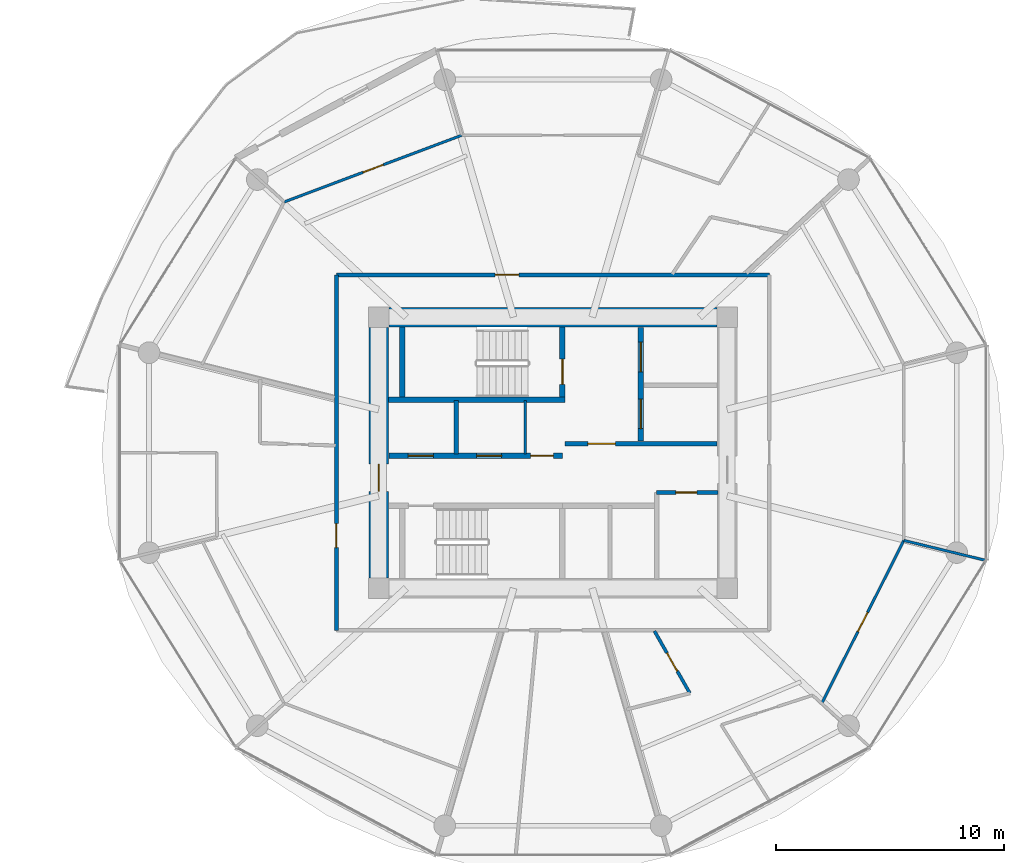
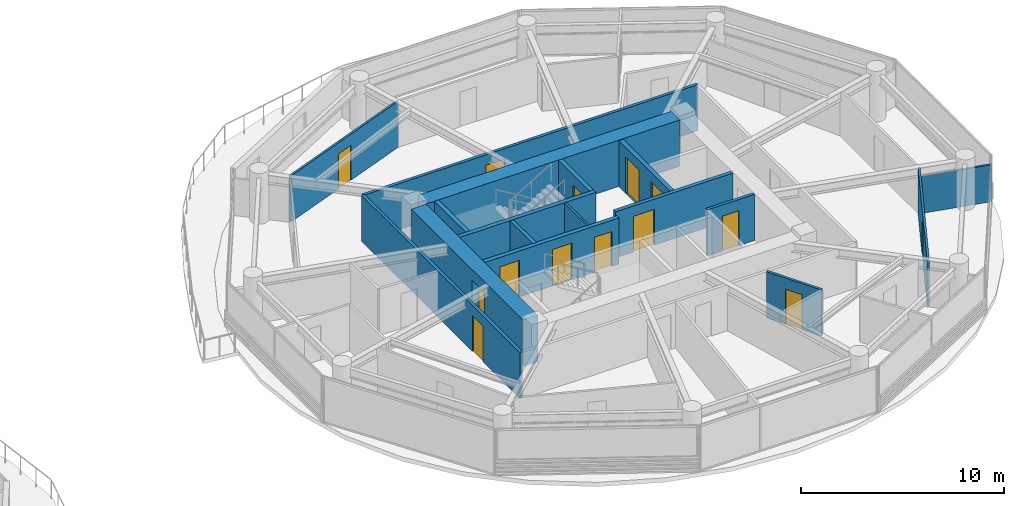
# One storey, part 19 of 26: 17 walls, 14 doors, 14 openings.
"""IFC4 building model written with IfcOpenShell, lengths in metres."""

from ifc_helpers import new_model, si_unit, direction, frame, frame_2d, origin, place, context, subcontext, project, spatial, rectangle, extrude, source, transform, mapped, material, layer, layer_set, type_object, type_shapes, element, fill, save


model = new_model("IFC4")

# Units and contexts
model_context = context("Model", 3, precision=1e-05, world=origin(), true_north=direction((0.0, 1.0)))
body_context = subcontext(model_context, "Body", "Model", "MODEL_VIEW")
ifc_project = project(units=[si_unit("LENGTHUNIT", "METRE"), si_unit("AREAUNIT", "SQUARE_METRE"), si_unit("VOLUMEUNIT", "CUBIC_METRE"), si_unit("PLANEANGLEUNIT", "RADIAN"), si_unit("MASSUNIT", "GRAM", prefix="KILO")], contexts=[model_context])

# Site, building, storey
site_placement = place(None, origin())
site = spatial("IfcSite", under=ifc_project, at=site_placement, CompositionType="ELEMENT")
building_placement = place(site_placement, origin())
building = spatial("IfcBuilding", under=site, at=building_placement, Name="Norrkilde Senior Care Towers", CompositionType="ELEMENT")
storey_placement = place(building_placement, frame((0.0, 0.0, 64.300048828125)))
storey = spatial("IfcBuildingStorey", under=building, at=storey_placement, Name="L19", CompositionType="ELEMENT", Elevation=64.300048828125)

# Wall
ifc_material_1 = material(Name="Concrete C60/75", Category="concrete")
ifc_layer_1 = layer(ifc_material_1, 0.85009765625)
ifc_layer_set_1 = layer_set([ifc_layer_1], Name="Concrete C60/75")
wall_type_1 = type_object("IfcWallType", Name="Core Shear Wall Z1 850", PredefinedType="SHEAR", material=ifc_layer_set_1)
shared_shape_1 = source(origin(), body_context, "Body", "SweptSolid", [
    extrude(rectangle(XDim=14.39990234375, YDim=0.85009765625, at=frame_2d((7.199951171875, 0.0))), origin(), (0.0, 0.0, 1.0), 2.7900390625),
])
wall_1_placement = place(storey_placement, frame((20.800048828125, 5.949951171875, 0.0), z_axis=(0.0, 0.0, 1.0), x_axis=(1.0, 0.0, 0.0)))
element("IfcWall", 1, at=wall_1_placement, inside=storey, type_object=wall_type_1, Name="L19 Core E North Shear Wall", PredefinedType="SHEAR", context=body_context, shape_type="MappedRepresentation", body=[
    mapped(shared_shape_1, transform((0.0, 0.0, 0.0), x_axis=(1.0, 0.0, 0.0), y_axis=(0.0, 1.0, 0.0), z_axis=(0.0, 0.0, 1.0), scale=1.0)),
])

# Wall, opening, door
shared_shape_2 = source(origin(), body_context, "Body", "SweptSolid", [
    extrude(rectangle(XDim=11.0, YDim=0.85009765625, at=frame_2d((5.5, 0.0))), origin(), (0.0, 0.0, 1.0), 2.7900390625),
])
type_shapes(wall_type_1, [shared_shape_1, shared_shape_2])
wall_2_placement = place(storey_placement, frame((20.35009765625, -5.5, 0.0), z_axis=(0.0, 0.0, 1.0), x_axis=(0.0, 1.0, 0.0)))
wall_2 = element("IfcWall", 2, at=wall_2_placement, inside=storey, type_object=wall_type_1, Name="L19 Core E West Shear Wall", PredefinedType="SHEAR", context=body_context, shape_type="MappedRepresentation", body=[
    mapped(shared_shape_2, transform((0.0, 0.0, 0.0), x_axis=(1.0, 0.0, 0.0), y_axis=(0.0, 1.0, 0.0), z_axis=(0.0, 0.0, 1.0), scale=1.0)),
])
opening_1_placement = place(wall_2_placement, frame((3.800048828125, 0.0, 0.0)))
opening_1 = element("IfcOpeningElement", 3, at=opening_1_placement, cuts=wall_2, Name="Opening D-04", PredefinedType="OPENING", context=body_context, shape_type="SweptSolid", body=[
    extrude(rectangle(XDim=1.199951171875, YDim=2.14990234375, at=frame_2d((0.60009765625, 1.074951171875))), frame((0.0, 0.43505859375, 0.0), z_axis=(0.0, -1.0, 0.0), x_axis=(1.0, 0.0, 0.0)), (0.0, 0.0, 1.0), 0.8701171875),
])
ifc_material_2 = material(Name="Galvanised Painted Steel", Category="steel")
door_type_1 = type_object("IfcDoorType", Name="Firefighting Lobby Fire Door 1200x2150", OperationType="NOTDEFINED", PredefinedType="DOOR", material=ifc_material_2)
shared_shape_3 = source(origin(), body_context, "Body", "SweptSolid", [
    extrude(rectangle(XDim=1.199951171875, YDim=2.14990234375, at=frame_2d((0.60009765625, 1.074951171875))), frame((0.0, 0.02490234375, 0.0), z_axis=(0.0, -1.0, 0.0), x_axis=(1.0, 0.0, 0.0)), (0.0, 0.0, 1.0), 0.050048828125),
])
type_shapes(door_type_1, [shared_shape_3])
door_1_placement = place(opening_1_placement, frame((1.199951171875, 0.0, 0.0), z_axis=(0.0, 0.0, 1.0), x_axis=(-1.0, 0.0, 0.0)))
door_1 = element("IfcDoor", 4, at=door_1_placement, inside=storey, type_object=door_type_1, Name="L19 Core E West Portal Door", OperationType="SINGLE_SWING_LEFT", OverallHeight=2.14990234375, OverallWidth=1.199951171875, PredefinedType="DOOR", context=body_context, shape_type="MappedRepresentation", body=[
    mapped(shared_shape_3, transform((0.0, 0.0, 0.0), x_axis=(1.0, 0.0, 0.0), y_axis=(0.0, 1.0, 0.0), z_axis=(0.0, 0.0, 1.0), scale=1.0)),
])
fill(opening_1, door_1)

# Wall, openings, doors
ifc_material_3 = material(Name="Concrete C45/55", Category="concrete")
ifc_layer_2 = layer(ifc_material_3, 0.239990234375)
ifc_layer_set_2 = layer_set([ifc_layer_2], Name="Concrete C45/55")
wall_type_2 = type_object("IfcWallType", Name="Lift and Plant Rated Enclosure Partition 240", PredefinedType="PARTITIONING", material=ifc_layer_set_2)
shared_shape_4 = source(origin(), body_context, "Body", "SweptSolid", [
    extrude(rectangle(XDim=5.0, YDim=0.239990234375, at=frame_2d((2.5, 0.0))), origin(), (0.0, 0.0, 1.0), 2.77490234375),
])
wall_3_placement = place(storey_placement, frame((31.860107421875, 0.5, 0.0), z_axis=(0.0, 0.0, 1.0), x_axis=(0.0, 1.0, 0.0)))
wall_3 = element("IfcWall", 5, at=wall_3_placement, inside=storey, type_object=wall_type_2, Name="WL-INT-L19-E-FFLE", PredefinedType="PARTITIONING", context=body_context, shape_type="MappedRepresentation", body=[
    mapped(shared_shape_4, transform((0.0, 0.0, 0.0), x_axis=(1.0, 0.0, 0.0), y_axis=(0.0, 1.0, 0.0), z_axis=(0.0, 0.0, 1.0), scale=1.0)),
])
opening_2_placement = place(wall_3_placement, frame((3.050048828125, 0.0, 0.0)))
opening_2 = element("IfcOpeningElement", 6, at=opening_2_placement, cuts=wall_3, Name="Opening LD-02", PredefinedType="OPENING", context=body_context, shape_type="SweptSolid", body=[
    extrude(rectangle(XDim=1.300048828125, YDim=2.199951171875, at=frame_2d((0.64990234375, 1.10009765625))), frame((0.0, 0.1298828125, 0.0), z_axis=(0.0, -1.0, 0.0), x_axis=(1.0, 0.0, 0.0)), (0.0, 0.0, 1.0), 0.260009765625),
])
opening_3_placement = place(wall_3_placement, frame((0.550048828125, 0.0, 0.0)))
opening_3 = element("IfcOpeningElement", 7, at=opening_3_placement, cuts=wall_3, Name="Opening LD-02", PredefinedType="OPENING", context=body_context, shape_type="SweptSolid", body=[
    extrude(rectangle(XDim=1.300048828125, YDim=2.199951171875, at=frame_2d((0.64990234375, 1.10009765625))), frame((0.0, 0.1298828125, 0.0), z_axis=(0.0, -1.0, 0.0), x_axis=(1.0, 0.0, 0.0)), (0.0, 0.0, 1.0), 0.260009765625),
])
ifc_material_4 = material(Name="Stainless Steel", Category="steel")
door_type_2 = type_object("IfcDoorType", Name="Stretcher and FFL Landing Sliding Door 1300x2200", OperationType="NOTDEFINED", PredefinedType="DOOR", material=ifc_material_4)
shared_shape_5 = source(origin(), body_context, "Body", "SweptSolid", [
    extrude(rectangle(XDim=1.300048828125, YDim=2.199951171875, at=frame_2d((0.64990234375, 1.10009765625))), frame((0.0, 0.02490234375, 0.0), z_axis=(0.0, -1.0, 0.0), x_axis=(1.0, 0.0, 0.0)), (0.0, 0.0, 1.0), 0.050048828125),
])
type_shapes(door_type_2, [shared_shape_5])
door_2_placement = place(opening_2_placement, origin())
door_2 = element("IfcDoor", 8, at=door_2_placement, inside=storey, type_object=door_type_2, Name="L19 Firefighting Lift E1 Landing Door", OperationType="SLIDING_TO_LEFT", OverallHeight=2.199951171875, OverallWidth=1.300048828125, PredefinedType="DOOR", context=body_context, shape_type="MappedRepresentation", body=[
    mapped(shared_shape_5, transform((0.0, 0.0, 0.0), x_axis=(1.0, 0.0, 0.0), y_axis=(0.0, 1.0, 0.0), z_axis=(0.0, 0.0, 1.0), scale=1.0)),
])
fill(opening_2, door_2)
door_3_placement = place(opening_3_placement, origin())
door_3 = element("IfcDoor", 9, at=door_3_placement, inside=storey, type_object=door_type_2, Name="L19 Stretcher Lift E1 Landing Door", OperationType="SLIDING_TO_RIGHT", OverallHeight=2.199951171875, OverallWidth=1.300048828125, PredefinedType="DOOR", context=body_context, shape_type="MappedRepresentation", body=[
    mapped(shared_shape_5, transform((0.0, 0.0, 0.0), x_axis=(1.0, 0.0, 0.0), y_axis=(0.0, 1.0, 0.0), z_axis=(0.0, 0.0, 1.0), scale=1.0)),
])
fill(opening_3, door_3)

# Wall, opening, door
ifc_layer_3 = layer(ifc_material_3, 0.2099609375)
ifc_layer_set_3 = layer_set([ifc_layer_3], Name="Concrete C45/55")
wall_type_3 = type_object("IfcWallType", Name="Firefighting Lobby Wall 210", PredefinedType="PARTITIONING", material=ifc_layer_set_3)
shared_shape_6 = source(origin(), body_context, "Body", "SweptSolid", [
    extrude(rectangle(XDim=6.659912109375, YDim=0.2099609375, at=frame_2d((3.330078125, 0.0))), origin(), (0.0, 0.0, 1.0), 2.77490234375),
])
type_shapes(wall_type_3, [shared_shape_6])
wall_4_placement = place(storey_placement, frame((28.5400390625, 0.389892578125, 0.0), z_axis=(0.0, 0.0, 1.0), x_axis=(1.0, 0.0, 0.0)))
wall_4 = element("IfcWall", 10, at=wall_4_placement, inside=storey, type_object=wall_type_3, Name="WL-INT-L19-E-FFLS", PredefinedType="PARTITIONING", context=body_context, shape_type="MappedRepresentation", body=[
    mapped(shared_shape_6, transform((0.0, 0.0, 0.0), x_axis=(1.0, 0.0, 0.0), y_axis=(0.0, 1.0, 0.0), z_axis=(0.0, 0.0, 1.0), scale=1.0)),
])
opening_4_placement = place(wall_4_placement, frame((1.0, 0.0, 0.0)))
opening_4 = element("IfcOpeningElement", 11, at=opening_4_placement, cuts=wall_4, Name="Opening D-04", PredefinedType="OPENING", context=body_context, shape_type="SweptSolid", body=[
    extrude(rectangle(XDim=1.199951171875, YDim=2.14990234375, at=frame_2d((0.60009765625, 1.074951171875))), frame((0.0, 0.114990234375, 0.0), z_axis=(0.0, -1.0, 0.0), x_axis=(1.0, 0.0, 0.0)), (0.0, 0.0, 1.0), 0.22998046875),
])
door_4_placement = place(opening_4_placement, frame((1.199951171875, 0.0, 0.0), z_axis=(0.0, 0.0, 1.0), x_axis=(-1.0, 0.0, 0.0)))
door_4 = element("IfcDoor", 12, at=door_4_placement, inside=storey, type_object=door_type_1, Name="L19 Firefighting Lobby E Door", OperationType="SINGLE_SWING_LEFT", OverallHeight=2.14990234375, OverallWidth=1.199951171875, PredefinedType="DOOR", context=body_context, shape_type="MappedRepresentation", body=[
    mapped(shared_shape_3, transform((0.0, 0.0, 0.0), x_axis=(1.0, 0.0, 0.0), y_axis=(0.0, 1.0, 0.0), z_axis=(0.0, 0.0, 1.0), scale=1.0)),
])
fill(opening_4, door_4)

# Wall, openings, doors
shared_shape_7 = source(origin(), body_context, "Body", "SweptSolid", [
    extrude(rectangle(XDim=7.619873046875, YDim=0.239990234375, at=frame_2d((3.81005859375, 0.0))), origin(), (0.0, 0.0, 1.0), 2.77490234375),
])
type_shapes(wall_type_2, [shared_shape_4, shared_shape_7])
wall_5_placement = place(storey_placement, frame((20.800048828125, -0.1298828125, 0.0), z_axis=(0.0, 0.0, 1.0), x_axis=(1.0, 0.0, 0.0)))
wall_5 = element("IfcWall", 13, at=wall_5_placement, inside=storey, type_object=wall_type_2, Name="WL-INT-L19-E-PKAS", PredefinedType="PARTITIONING", context=body_context, shape_type="MappedRepresentation", body=[
    mapped(shared_shape_7, transform((0.0, 0.0, 0.0), x_axis=(1.0, 0.0, 0.0), y_axis=(0.0, 1.0, 0.0), z_axis=(0.0, 0.0, 1.0), scale=1.0)),
])
opening_5_placement = place(wall_5_placement, frame((6.219970703125, 0.0, 0.0)))
opening_5 = element("IfcOpeningElement", 14, at=opening_5_placement, cuts=wall_5, Name="Opening D-10", PredefinedType="OPENING", context=body_context, shape_type="SweptSolid", body=[
    extrude(rectangle(XDim=1.0, YDim=2.10009765625, at=frame_2d((0.5, 1.050048828125))), frame((0.0, 0.1298828125, 0.0), z_axis=(0.0, -1.0, 0.0), x_axis=(1.0, 0.0, 0.0)), (0.0, 0.0, 1.0), 0.260009765625),
])
opening_6_placement = place(wall_5_placement, frame((0.85009765625, 0.0, 0.0)))
opening_6 = element("IfcOpeningElement", 15, at=opening_6_placement, cuts=wall_5, Name="Opening LD-01", PredefinedType="OPENING", context=body_context, shape_type="SweptSolid", body=[
    extrude(rectangle(XDim=1.10009765625, YDim=2.199951171875, at=frame_2d((0.550048828125, 1.10009765625))), frame((0.0, 0.1298828125, 0.0), z_axis=(0.0, -1.0, 0.0), x_axis=(1.0, 0.0, 0.0)), (0.0, 0.0, 1.0), 0.260009765625),
])
opening_7_placement = place(wall_5_placement, frame((3.85009765625, 0.0, 0.0)))
opening_7 = element("IfcOpeningElement", 16, at=opening_7_placement, cuts=wall_5, Name="Opening LD-01", PredefinedType="OPENING", context=body_context, shape_type="SweptSolid", body=[
    extrude(rectangle(XDim=1.10009765625, YDim=2.199951171875, at=frame_2d((0.550048828125, 1.10009765625))), frame((0.0, 0.1298828125, 0.0), z_axis=(0.0, -1.0, 0.0), x_axis=(1.0, 0.0, 0.0)), (0.0, 0.0, 1.0), 0.260009765625),
])
door_type_3 = type_object("IfcDoorType", Name="Plant and Riser Rated Door 1000x2100", OperationType="NOTDEFINED", PredefinedType="DOOR", material=ifc_material_2)
shared_shape_8 = source(origin(), body_context, "Body", "SweptSolid", [
    extrude(rectangle(XDim=1.0, YDim=2.10009765625, at=frame_2d((0.5, 1.050048828125))), frame((0.0, 0.02490234375, 0.0), z_axis=(0.0, -1.0, 0.0), x_axis=(1.0, 0.0, 0.0)), (0.0, 0.0, 1.0), 0.050048828125),
])
type_shapes(door_type_3, [shared_shape_8])
door_5_placement = place(opening_5_placement, frame((1.0, 0.0, 0.0), z_axis=(0.0, 0.0, 1.0), x_axis=(-1.0, 0.0, 0.0)))
door_5 = element("IfcDoor", 17, at=door_5_placement, inside=storey, type_object=door_type_3, Name="L19 Electrical Riser E Door", OperationType="SINGLE_SWING_LEFT", OverallHeight=2.10009765625, OverallWidth=1.0, PredefinedType="DOOR", context=body_context, shape_type="MappedRepresentation", body=[
    mapped(shared_shape_8, transform((0.0, 0.0, 0.0), x_axis=(1.0, 0.0, 0.0), y_axis=(0.0, 1.0, 0.0), z_axis=(0.0, 0.0, 1.0), scale=1.0)),
])
fill(opening_5, door_5)
door_type_4 = type_object("IfcDoorType", Name="Lift Landing Sliding Door 1100x2200", OperationType="NOTDEFINED", PredefinedType="DOOR", material=ifc_material_4)
shared_shape_9 = source(origin(), body_context, "Body", "SweptSolid", [
    extrude(rectangle(XDim=1.10009765625, YDim=2.199951171875, at=frame_2d((0.550048828125, 1.10009765625))), frame((0.0, 0.02490234375, 0.0), z_axis=(0.0, -1.0, 0.0), x_axis=(1.0, 0.0, 0.0)), (0.0, 0.0, 1.0), 0.050048828125),
])
type_shapes(door_type_4, [shared_shape_9])
door_6_placement = place(opening_6_placement, origin())
door_6 = element("IfcDoor", 18, at=door_6_placement, inside=storey, type_object=door_type_4, Name="L19 Passenger Lift E1 Landing Door", OperationType="SLIDING_TO_LEFT", OverallHeight=2.199951171875, OverallWidth=1.10009765625, PredefinedType="DOOR", context=body_context, shape_type="MappedRepresentation", body=[
    mapped(shared_shape_9, transform((0.0, 0.0, 0.0), x_axis=(1.0, 0.0, 0.0), y_axis=(0.0, 1.0, 0.0), z_axis=(0.0, 0.0, 1.0), scale=1.0)),
])
fill(opening_6, door_6)
door_7_placement = place(opening_7_placement, origin())
door_7 = element("IfcDoor", 19, at=door_7_placement, inside=storey, type_object=door_type_4, Name="L19 Passenger Lift E2 Landing Door", OperationType="SLIDING_TO_RIGHT", OverallHeight=2.199951171875, OverallWidth=1.10009765625, PredefinedType="DOOR", context=body_context, shape_type="MappedRepresentation", body=[
    mapped(shared_shape_9, transform((0.0, 0.0, 0.0), x_axis=(1.0, 0.0, 0.0), y_axis=(0.0, 1.0, 0.0), z_axis=(0.0, 0.0, 1.0), scale=1.0)),
])
fill(opening_7, door_7)

# Walls
ifc_material_5 = material(Name="Gypsum Acoustic Board")
ifc_layer_4 = layer(ifc_material_5, 0.114990234375)
ifc_layer_set_4 = layer_set([ifc_layer_4], Name="Gypsum Acoustic Board")
wall_type_4 = type_object("IfcWallType", Name="Internal Room Partition 115", PredefinedType="PARTITIONING", material=ifc_layer_set_4)
shared_shape_10 = source(origin(), body_context, "Body", "SweptSolid", [
    extrude(rectangle(XDim=2.330078125, YDim=0.114990234375, at=frame_2d((1.1650390625, 0.0))), origin(), (0.0, 0.0, 1.0), 2.77490234375),
])
wall_6_placement = place(storey_placement, frame((26.7900390625, -0.050048828125, 0.0), z_axis=(0.0, 0.0, 1.0), x_axis=(0.0, 1.0, 0.0)))
element("IfcWall", 20, at=wall_6_placement, inside=storey, type_object=wall_type_4, Name="WL-INT-L19-E-RISW", PredefinedType="PARTITIONING", context=body_context, shape_type="MappedRepresentation", body=[
    mapped(shared_shape_10, transform((0.0, 0.0, 0.0), x_axis=(1.0, 0.0, 0.0), y_axis=(0.0, 1.0, 0.0), z_axis=(0.0, 0.0, 1.0), scale=1.0)),
])
ifc_layer_5 = layer(ifc_material_3, 0.199951171875)
ifc_layer_set_5 = layer_set([ifc_layer_5], Name="Concrete C45/55")
wall_type_5 = type_object("IfcWallType", Name="Shaft Division and Plant Partition 200", PredefinedType="PARTITIONING", material=ifc_layer_set_5)
shared_shape_11 = source(origin(), body_context, "Body", "SweptSolid", [
    extrude(rectangle(XDim=2.330078125, YDim=0.199951171875, at=frame_2d((1.1650390625, 0.0))), origin(), (0.0, 0.0, 1.0), 2.77490234375),
])
type_shapes(wall_type_5, [shared_shape_11])
wall_7_placement = place(storey_placement, frame((23.75, -0.050048828125, 0.0), z_axis=(0.0, 0.0, 1.0), x_axis=(0.0, 1.0, 0.0)))
element("IfcWall", 21, at=wall_7_placement, inside=storey, type_object=wall_type_5, Name="WL-INT-L19-E-PL12", PredefinedType="PARTITIONING", context=body_context, shape_type="MappedRepresentation", body=[
    mapped(shared_shape_11, transform((0.0, 0.0, 0.0), x_axis=(1.0, 0.0, 0.0), y_axis=(0.0, 1.0, 0.0), z_axis=(0.0, 0.0, 1.0), scale=1.0)),
])

# Wall, opening, door
ifc_layer_6 = layer(ifc_material_5, 0.1650390625)
ifc_layer_set_6 = layer_set([ifc_layer_6], Name="Gypsum Acoustic Board")
wall_type_6 = type_object("IfcWallType", Name="Corridor Rated Partition 165", PredefinedType="PARTITIONING", material=ifc_layer_set_6)
shared_shape_12 = source(origin(), body_context, "Body", "SweptSolid", [
    extrude(rectangle(XDim=2.699951171875, YDim=0.1650390625, at=frame_2d((1.35009765625, 0.0))), origin(), (0.0, 0.0, 1.0), 2.77490234375),
])
wall_8_placement = place(storey_placement, frame((32.550048828125, -1.75, 0.0), z_axis=(0.0, 0.0, 1.0), x_axis=(1.0, 0.0, 0.0)))
wall_8 = element("IfcWall", 22, at=wall_8_placement, inside=storey, type_object=wall_type_6, Name="WL-INT-L19-E-CSN", PredefinedType="PARTITIONING", context=body_context, shape_type="MappedRepresentation", body=[
    mapped(shared_shape_12, transform((0.0, 0.0, 0.0), x_axis=(1.0, 0.0, 0.0), y_axis=(0.0, 1.0, 0.0), z_axis=(0.0, 0.0, 1.0), scale=1.0)),
])
opening_8_placement = place(wall_8_placement, frame((0.85009765625, 0.0, 0.0)))
opening_8 = element("IfcOpeningElement", 23, at=opening_8_placement, cuts=wall_8, Name="Opening D-12", PredefinedType="OPENING", context=body_context, shape_type="SweptSolid", body=[
    extrude(rectangle(XDim=0.925048828125, YDim=2.10009765625, at=frame_2d((0.46240234375, 1.050048828125))), frame((0.0, 0.092529296875, 0.0), z_axis=(0.0, -1.0, 0.0), x_axis=(1.0, 0.0, 0.0)), (0.0, 0.0, 1.0), 0.18505859375),
])
door_type_5 = type_object("IfcDoorType", Name="Core Wet Room Rated Door 925x2100", OperationType="NOTDEFINED", PredefinedType="DOOR", material=ifc_material_2)
shared_shape_13 = source(origin(), body_context, "Body", "SweptSolid", [
    extrude(rectangle(XDim=0.925048828125, YDim=2.10009765625, at=frame_2d((0.46240234375, 1.050048828125))), frame((0.0, 0.02490234375, 0.0), z_axis=(0.0, -1.0, 0.0), x_axis=(1.0, 0.0, 0.0)), (0.0, 0.0, 1.0), 0.050048828125),
])
type_shapes(door_type_5, [shared_shape_13])
door_8_placement = place(opening_8_placement, origin())
door_8 = element("IfcDoor", 24, at=door_8_placement, inside=storey, type_object=door_type_5, Name="L19 Core Utility E Door", OperationType="SINGLE_SWING_LEFT", OverallHeight=2.10009765625, OverallWidth=0.925048828125, PredefinedType="DOOR", context=body_context, shape_type="MappedRepresentation", body=[
    mapped(shared_shape_13, transform((0.0, 0.0, 0.0), x_axis=(1.0, 0.0, 0.0), y_axis=(0.0, 1.0, 0.0), z_axis=(0.0, 0.0, 1.0), scale=1.0)),
])
fill(opening_8, door_8)

shared_shape_14 = source(origin(), body_context, "Body", "SweptSolid", [
    extrude(rectangle(XDim=19.0, YDim=0.1650390625, at=frame_2d((9.5, 0.0))), origin(), (0.0, 0.0, 1.0), 2.77490234375),
])
wall_9_placement = place(storey_placement, frame((18.5, 7.800048828125, 0.0), z_axis=(0.0, 0.0, 1.0), x_axis=(1.0, 0.0, 0.0)))
wall_9 = element("IfcWall", 25, at=wall_9_placement, inside=storey, type_object=wall_type_6, Name="WL-INT-L19-E-CRW-N-0", PredefinedType="PARTITIONING", context=body_context, shape_type="MappedRepresentation", body=[
    mapped(shared_shape_14, transform((0.0, 0.0, 0.0), x_axis=(1.0, 0.0, 0.0), y_axis=(0.0, 1.0, 0.0), z_axis=(0.0, 0.0, 1.0), scale=1.0)),
])
opening_9_placement = place(wall_9_placement, frame((6.961181640625, 0.0, 0.0)))
opening_9 = element("IfcOpeningElement", 26, at=opening_9_placement, cuts=wall_9, Name="Opening D-06", PredefinedType="OPENING", context=body_context, shape_type="SweptSolid", body=[
    extrude(rectangle(XDim=1.050048828125, YDim=2.14990234375, at=frame_2d((0.52490234375, 1.074951171875))), frame((0.0, 0.092529296875, 0.0), z_axis=(0.0, -1.0, 0.0), x_axis=(1.0, 0.0, 0.0)), (0.0, 0.0, 1.0), 0.18505859375),
])
ifc_material_6 = material(Name="Nordic Ash Timber", Category="wood")
door_type_6 = type_object("IfcDoorType", Name="Apartment Entrance Fire Door 1050x2150", OperationType="NOTDEFINED", PredefinedType="DOOR", material=ifc_material_6)
shared_shape_15 = source(origin(), body_context, "Body", "SweptSolid", [
    extrude(rectangle(XDim=1.050048828125, YDim=2.14990234375, at=frame_2d((0.52490234375, 1.074951171875))), frame((0.0, 0.02490234375, 0.0), z_axis=(0.0, -1.0, 0.0), x_axis=(1.0, 0.0, 0.0)), (0.0, 0.0, 1.0), 0.050048828125),
])
type_shapes(door_type_6, [shared_shape_15])
door_9_placement = place(opening_9_placement, frame((1.050048828125, 0.0, 0.0), z_axis=(0.0, 0.0, 1.0), x_axis=(-1.0, 0.0, 0.0)))
door_9 = element("IfcDoor", 27, at=door_9_placement, inside=storey, type_object=door_type_6, Name="Apartment 19D Entrance Door", OperationType="SINGLE_SWING_RIGHT", OverallHeight=2.14990234375, OverallWidth=1.050048828125, PredefinedType="DOOR", context=body_context, shape_type="MappedRepresentation", body=[
    mapped(shared_shape_15, transform((0.0, 0.0, 0.0), x_axis=(1.0, 0.0, 0.0), y_axis=(0.0, 1.0, 0.0), z_axis=(0.0, 0.0, 1.0), scale=1.0)),
])
fill(opening_9, door_9)

shared_shape_16 = source(origin(), body_context, "Body", "SweptSolid", [
    extrude(rectangle(XDim=15.60009765625, YDim=0.1650390625, at=frame_2d((7.800048828125, 0.0))), origin(), (0.0, 0.0, 1.0), 2.77490234375),
])
type_shapes(wall_type_6, [shared_shape_12, shared_shape_14, shared_shape_16])
wall_10_placement = place(storey_placement, frame((18.5, -7.800048828125, 0.0), z_axis=(0.0, 0.0, 1.0), x_axis=(0.0, 1.0, 0.0)))
wall_10 = element("IfcWall", 28, at=wall_10_placement, inside=storey, type_object=wall_type_6, Name="WL-INT-L19-E-CRW-W-0", PredefinedType="PARTITIONING", context=body_context, shape_type="MappedRepresentation", body=[
    mapped(shared_shape_16, transform((0.0, 0.0, 0.0), x_axis=(1.0, 0.0, 0.0), y_axis=(0.0, 1.0, 0.0), z_axis=(0.0, 0.0, 1.0), scale=1.0)),
])
opening_10_placement = place(wall_10_placement, frame((3.63037109375, 0.0, 0.0)))
opening_10 = element("IfcOpeningElement", 29, at=opening_10_placement, cuts=wall_10, Name="Opening D-06", PredefinedType="OPENING", context=body_context, shape_type="SweptSolid", body=[
    extrude(rectangle(XDim=1.050048828125, YDim=2.14990234375, at=frame_2d((0.52490234375, 1.074951171875))), frame((0.0, 0.092529296875, 0.0), z_axis=(0.0, -1.0, 0.0), x_axis=(1.0, 0.0, 0.0)), (0.0, 0.0, 1.0), 0.18505859375),
])
door_10_placement = place(opening_10_placement, frame((1.050048828125, 0.0, 0.0), z_axis=(0.0, 0.0, 1.0), x_axis=(-1.0, 0.0, 0.0)))
door_10 = element("IfcDoor", 30, at=door_10_placement, inside=storey, type_object=door_type_6, Name="Apartment 19A Entrance Door", OperationType="SINGLE_SWING_RIGHT", OverallHeight=2.14990234375, OverallWidth=1.050048828125, PredefinedType="DOOR", context=body_context, shape_type="MappedRepresentation", body=[
    mapped(shared_shape_15, transform((0.0, 0.0, 0.0), x_axis=(1.0, 0.0, 0.0), y_axis=(0.0, 1.0, 0.0), z_axis=(0.0, 0.0, 1.0), scale=1.0)),
])
fill(opening_10, door_10)

shared_shape_17 = source(origin(), body_context, "Body", "SweptSolid", [
    extrude(rectangle(XDim=8.017822265625, YDim=0.114990234375, at=frame_2d((4.0087890625, 0.0))), origin(), (0.0, 0.0, 1.0), 2.77490234375),
])
wall_11_placement = place(storey_placement, frame((39.794921875, -11.013916015625, 0.0), z_axis=(0.0, 0.0, 1.0), x_axis=(0.450134355233, 0.89296084026, 0.0)))
wall_11 = element("IfcWall", 31, at=wall_11_placement, inside=storey, type_object=wall_type_4, Name="WL-INT-L19-E-UBC-09-1", PredefinedType="PARTITIONING", context=body_context, shape_type="MappedRepresentation", body=[
    mapped(shared_shape_17, transform((0.0, 0.0, 0.0), x_axis=(1.0, 0.0, 0.0), y_axis=(0.0, 1.0, 0.0), z_axis=(0.0, 0.0, 1.0), scale=1.0)),
])
opening_11_placement = place(wall_11_placement, frame((3.533935546875, 0.0, 0.0)))
opening_11 = element("IfcOpeningElement", 32, at=opening_11_placement, cuts=wall_11, Name="Opening D-07", PredefinedType="OPENING", context=body_context, shape_type="SweptSolid", body=[
    extrude(rectangle(XDim=0.949951171875, YDim=2.10009765625, at=frame_2d((0.47509765625, 1.050048828125))), frame((0.0, 0.0673828125, 0.0), z_axis=(0.0, -1.0, 0.0), x_axis=(1.0, 0.0, 0.0)), (0.0, 0.0, 1.0), 0.135009765625),
])
door_type_7 = type_object("IfcDoorType", Name="Internal Suite Bedroom Door 950x2100", OperationType="NOTDEFINED", PredefinedType="DOOR", material=ifc_material_6)
shared_shape_18 = source(origin(), body_context, "Body", "SweptSolid", [
    extrude(rectangle(XDim=0.949951171875, YDim=2.10009765625, at=frame_2d((0.47509765625, 1.050048828125))), frame((0.0, 0.02490234375, 0.0), z_axis=(0.0, -1.0, 0.0), x_axis=(1.0, 0.0, 0.0)), (0.0, 0.0, 1.0), 0.050048828125),
])
type_shapes(door_type_7, [shared_shape_18])
door_11_placement = place(opening_11_placement, origin())
door_11 = element("IfcDoor", 33, at=door_11_placement, inside=storey, type_object=door_type_7, Name="Apartment 19C Bedroom 1 Door", OperationType="SINGLE_SWING_LEFT", OverallHeight=2.10009765625, OverallWidth=0.949951171875, PredefinedType="DOOR", context=body_context, shape_type="MappedRepresentation", body=[
    mapped(shared_shape_18, transform((0.0, 0.0, 0.0), x_axis=(1.0, 0.0, 0.0), y_axis=(0.0, 1.0, 0.0), z_axis=(0.0, 0.0, 1.0), scale=1.0)),
])
fill(opening_11, door_11)

ifc_layer_7 = layer(ifc_material_5, 0.139892578125)
ifc_layer_set_7 = layer_set([ifc_layer_7], Name="Gypsum Acoustic Board")
wall_type_7 = type_object("IfcWallType", Name="En-suite Wet Room Wall 140", PredefinedType="PARTITIONING", material=ifc_layer_set_7)
shared_shape_19 = source(origin(), body_context, "Body", "SweptSolid", [
    extrude(rectangle(XDim=3.14111328125, YDim=0.139892578125, at=frame_2d((1.570556640625, 0.0))), origin(), (0.0, 0.0, 1.0), 2.77490234375),
])
type_shapes(wall_type_7, [shared_shape_19])
wall_12_placement = place(storey_placement, frame((32.45849609375, -7.830078125, 0.0), z_axis=(0.0, 0.0, 1.0), x_axis=(0.494874486088, -0.868964465913, 0.0)))
wall_12 = element("IfcWall", 34, at=wall_12_placement, inside=storey, type_object=wall_type_7, Name="WL-INT-L19-E-UBTS-09", PredefinedType="PARTITIONING", context=body_context, shape_type="MappedRepresentation", body=[
    mapped(shared_shape_19, transform((0.0, 0.0, 0.0), x_axis=(1.0, 0.0, 0.0), y_axis=(0.0, 1.0, 0.0), z_axis=(0.0, 0.0, 1.0), scale=1.0)),
])
opening_12_placement = place(wall_12_placement, frame((1.110595703125, 0.0, 0.0)))
opening_12 = element("IfcOpeningElement", 35, at=opening_12_placement, cuts=wall_12, Name="Opening D-08", PredefinedType="OPENING", context=body_context, shape_type="SweptSolid", body=[
    extrude(rectangle(XDim=0.919921875, YDim=2.10009765625, at=frame_2d((0.4599609375, 1.050048828125))), frame((0.0, 0.079833984375, 0.0), z_axis=(0.0, -1.0, 0.0), x_axis=(1.0, 0.0, 0.0)), (0.0, 0.0, 1.0), 0.159912109375),
])
door_type_8 = type_object("IfcDoorType", Name="Accessible Wet Room Door 920x2100", OperationType="NOTDEFINED", PredefinedType="DOOR", material=ifc_material_6)
shared_shape_20 = source(origin(), body_context, "Body", "SweptSolid", [
    extrude(rectangle(XDim=0.919921875, YDim=2.10009765625, at=frame_2d((0.4599609375, 1.050048828125))), frame((0.0, 0.02490234375, 0.0), z_axis=(0.0, -1.0, 0.0), x_axis=(1.0, 0.0, 0.0)), (0.0, 0.0, 1.0), 0.050048828125),
])
type_shapes(door_type_8, [shared_shape_20])
door_12_placement = place(opening_12_placement, origin())
door_12 = element("IfcDoor", 36, at=door_12_placement, inside=storey, type_object=door_type_8, Name="Apartment 19C Bathroom Door", OperationType="SINGLE_SWING_LEFT", OverallHeight=2.10009765625, OverallWidth=0.919921875, PredefinedType="DOOR", context=body_context, shape_type="MappedRepresentation", body=[
    mapped(shared_shape_20, transform((0.0, 0.0, 0.0), x_axis=(1.0, 0.0, 0.0), y_axis=(0.0, 1.0, 0.0), z_axis=(0.0, 0.0, 1.0), scale=1.0)),
])
fill(opening_12, door_12)

shared_shape_21 = source(origin(), body_context, "Body", "SweptSolid", [
    extrude(rectangle(XDim=8.31982421875, YDim=0.114990234375, at=frame_2d((4.159912109375, 0.0))), origin(), (0.0, 0.0, 1.0), 2.77490234375),
])
wall_13_placement = place(storey_placement, frame((24.002685546875, 13.93017578125, 0.0), z_axis=(0.0, 0.0, 1.0), x_axis=(-0.936180763098, -0.351518959382, 0.0)))
wall_13 = element("IfcWall", 37, at=wall_13_placement, inside=storey, type_object=wall_type_4, Name="WL-INT-L19-E-UBC-01-2", PredefinedType="PARTITIONING", context=body_context, shape_type="MappedRepresentation", body=[
    mapped(shared_shape_21, transform((0.0, 0.0, 0.0), x_axis=(1.0, 0.0, 0.0), y_axis=(0.0, 1.0, 0.0), z_axis=(0.0, 0.0, 1.0), scale=1.0)),
])
opening_13_placement = place(wall_13_placement, frame((3.684814453125, 0.0, 0.0)))
opening_13 = element("IfcOpeningElement", 38, at=opening_13_placement, cuts=wall_13, Name="Opening D-07", PredefinedType="OPENING", context=body_context, shape_type="SweptSolid", body=[
    extrude(rectangle(XDim=0.949951171875, YDim=2.10009765625, at=frame_2d((0.47509765625, 1.050048828125))), frame((0.0, 0.0673828125, 0.0), z_axis=(0.0, -1.0, 0.0), x_axis=(1.0, 0.0, 0.0)), (0.0, 0.0, 1.0), 0.135009765625),
])
door_13_placement = place(opening_13_placement, frame((0.949951171875, 0.0, 0.0), z_axis=(0.0, 0.0, 1.0), x_axis=(-1.0, 0.0, 0.0)))
door_13 = element("IfcDoor", 39, at=door_13_placement, inside=storey, type_object=door_type_7, Name="Apartment 19D Bedroom 2 Door", OperationType="SINGLE_SWING_RIGHT", OverallHeight=2.10009765625, OverallWidth=0.949951171875, PredefinedType="DOOR", context=body_context, shape_type="MappedRepresentation", body=[
    mapped(shared_shape_18, transform((0.0, 0.0, 0.0), x_axis=(1.0, 0.0, 0.0), y_axis=(0.0, 1.0, 0.0), z_axis=(0.0, 0.0, 1.0), scale=1.0)),
])
fill(opening_13, door_13)

# Walls
ifc_layer_8 = layer(ifc_material_3, 0.239990234375)
ifc_layer_set_8 = layer_set([ifc_layer_8], Name="Concrete C45/55")
wall_type_8 = type_object("IfcWallType", Name="Shaft and Stair Enclosure Wall 240", PredefinedType="PARTITIONING", material=ifc_layer_set_8)
shared_shape_22 = source(origin(), body_context, "Body", "SweptSolid", [
    extrude(rectangle(XDim=7.76513671875, YDim=0.239990234375, at=frame_2d((3.882568359375, 0.0))), origin(), (0.0, 0.0, 1.0), 2.7900390625),
])
wall_14_placement = place(storey_placement, frame((20.77490234375, 2.330078125, 0.0), z_axis=(0.0, 0.0, 1.0), x_axis=(1.0, 0.0, 0.0)))
element("IfcWall", 40, at=wall_14_placement, inside=storey, type_object=wall_type_8, Name="WL-INT-L19-E-ST1S", PredefinedType="PARTITIONING", context=body_context, shape_type="MappedRepresentation", body=[
    mapped(shared_shape_22, transform((0.0, 0.0, 0.0), x_axis=(1.0, 0.0, 0.0), y_axis=(0.0, 1.0, 0.0), z_axis=(0.0, 0.0, 1.0), scale=1.0)),
])
shared_shape_23 = source(origin(), body_context, "Body", "SweptSolid", [
    extrude(rectangle(XDim=3.074951171875, YDim=0.239990234375, at=frame_2d((1.53759765625, 0.0))), origin(), (0.0, 0.0, 1.0), 2.7900390625),
])
type_shapes(wall_type_8, [shared_shape_22, shared_shape_23])
wall_15_placement = place(storey_placement, frame((21.3798828125, 2.449951171875, 0.0), z_axis=(0.0, 0.0, 1.0), x_axis=(0.0, 1.0, 0.0)))
element("IfcWall", 41, at=wall_15_placement, inside=storey, type_object=wall_type_8, Name="WL-INT-L19-E-ST1W", PredefinedType="PARTITIONING", context=body_context, shape_type="MappedRepresentation", body=[
    mapped(shared_shape_23, transform((0.0, 0.0, 0.0), x_axis=(1.0, 0.0, 0.0), y_axis=(0.0, 1.0, 0.0), z_axis=(0.0, 0.0, 1.0), scale=1.0)),
])

# Wall, opening, door
wall_16_placement = place(storey_placement, frame((28.419921875, 2.449951171875, 0.0), z_axis=(0.0, 0.0, 1.0), x_axis=(0.0, 1.0, 0.0)))
wall_16 = element("IfcWall", 42, at=wall_16_placement, inside=storey, type_object=wall_type_8, Name="WL-INT-L19-E-ST1E", PredefinedType="PARTITIONING", context=body_context, shape_type="MappedRepresentation", body=[
    mapped(shared_shape_23, transform((0.0, 0.0, 0.0), x_axis=(1.0, 0.0, 0.0), y_axis=(0.0, 1.0, 0.0), z_axis=(0.0, 0.0, 1.0), scale=1.0)),
])
opening_14_placement = place(wall_16_placement, frame((0.550048828125, 0.0, 0.0)))
opening_14 = element("IfcOpeningElement", 43, at=opening_14_placement, cuts=wall_16, Name="Opening D-03", PredefinedType="OPENING", context=body_context, shape_type="SweptSolid", body=[
    extrude(rectangle(XDim=1.10009765625, YDim=2.14990234375, at=frame_2d((0.550048828125, 1.074951171875))), frame((0.0, 0.1298828125, 0.0), z_axis=(0.0, -1.0, 0.0), x_axis=(1.0, 0.0, 0.0)), (0.0, 0.0, 1.0), 0.260009765625),
])
door_type_9 = type_object("IfcDoorType", Name="Stairwell Protected Fire Door 1100x2150", OperationType="NOTDEFINED", PredefinedType="DOOR", material=ifc_material_2)
shared_shape_24 = source(origin(), body_context, "Body", "SweptSolid", [
    extrude(rectangle(XDim=1.10009765625, YDim=2.14990234375, at=frame_2d((0.550048828125, 1.074951171875))), frame((0.0, 0.02490234375, 0.0), z_axis=(0.0, -1.0, 0.0), x_axis=(1.0, 0.0, 0.0)), (0.0, 0.0, 1.0), 0.050048828125),
])
type_shapes(door_type_9, [shared_shape_24])
door_14_placement = place(opening_14_placement, origin())
door_14 = element("IfcDoor", 44, at=door_14_placement, inside=storey, type_object=door_type_9, Name="L19 Stair E1 Fire Door", OperationType="SINGLE_SWING_LEFT", OverallHeight=2.14990234375, OverallWidth=1.10009765625, PredefinedType="DOOR", context=body_context, shape_type="MappedRepresentation", body=[
    mapped(shared_shape_24, transform((0.0, 0.0, 0.0), x_axis=(1.0, 0.0, 0.0), y_axis=(0.0, 1.0, 0.0), z_axis=(0.0, 0.0, 1.0), scale=1.0)),
])
fill(opening_14, door_14)

# Wall
shared_shape_25 = source(origin(), body_context, "Body", "SweptSolid", [
    extrude(rectangle(XDim=3.728271484375, YDim=0.114990234375, at=frame_2d((1.8642578125, 0.0))), origin(), (0.0, 0.0, 1.0), 2.224853515625),
])
type_shapes(wall_type_4, [shared_shape_10, shared_shape_17, shared_shape_21, shared_shape_25])
wall_17_placement = place(storey_placement, frame((43.40625, -3.854736328125, 0.0), z_axis=(0.0, 0.0, 1.0), x_axis=(0.971641177968, -0.236460189624, 0.0)))
element("IfcWall", 45, at=wall_17_placement, inside=storey, type_object=wall_type_4, Name="WL-INT-L19-E-UBR-09-2", PredefinedType="PARTITIONING", context=body_context, shape_type="MappedRepresentation", body=[
    mapped(shared_shape_25, transform((0.0, 0.0, 0.0), x_axis=(1.0, 0.0, 0.0), y_axis=(0.0, 1.0, 0.0), z_axis=(0.0, 0.0, 1.0), scale=1.0)),
])

save(model, "model.ifc")
